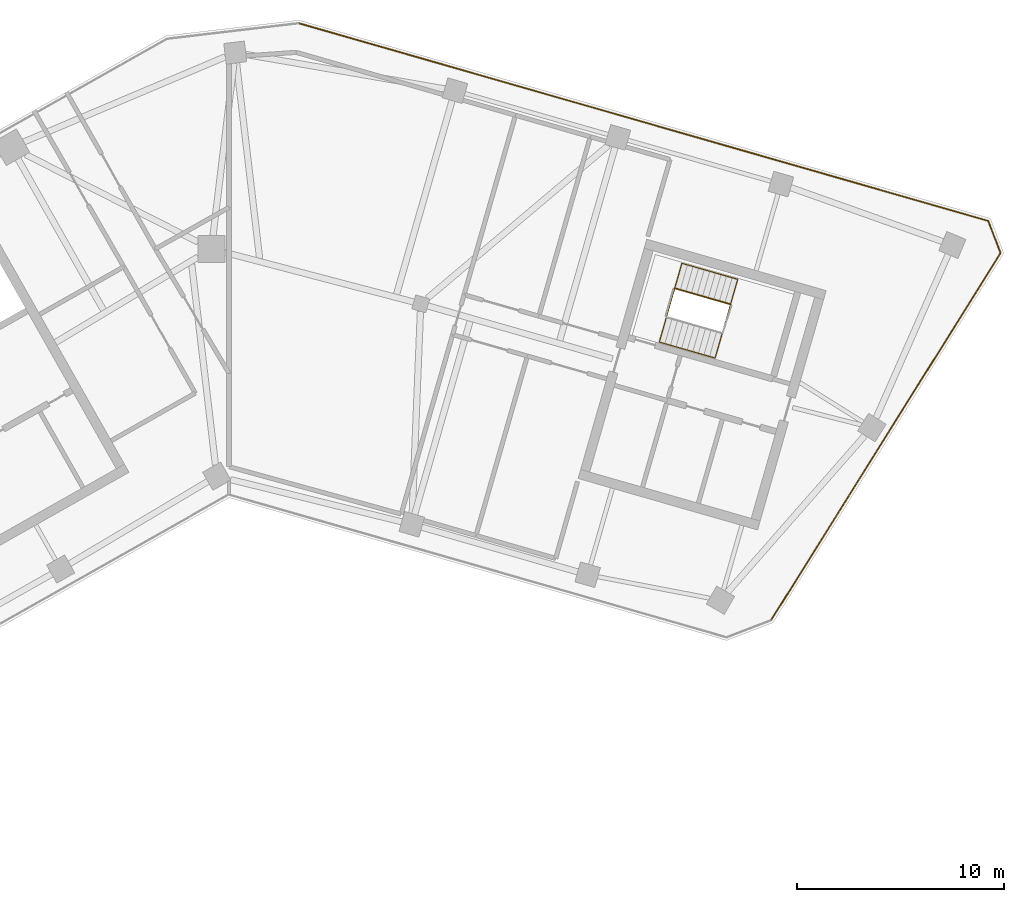
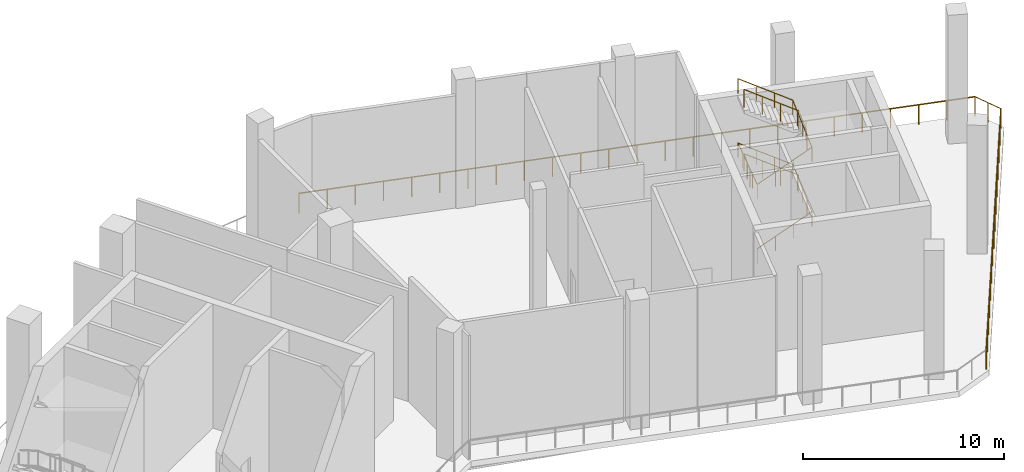
# One storey, part 8 of 8: 6 railings.
"""IFC4 building model written with IfcOpenShell, lengths in metres."""

from ifc_helpers import new_model, si_unit, direction, frame, origin, origin_2d, place, context, subcontext, project, spatial, circle, extrude, material, type_object, element, save


model = new_model("IFC4")

# Units and contexts
model_context = context("Model", 3, precision=1e-05, world=origin(), true_north=direction((0.0, 1.0)))
body_context = subcontext(model_context, "Body", "Model", "MODEL_VIEW")
ifc_project = project(units=[si_unit("LENGTHUNIT", "METRE"), si_unit("AREAUNIT", "SQUARE_METRE"), si_unit("VOLUMEUNIT", "CUBIC_METRE"), si_unit("PLANEANGLEUNIT", "RADIAN"), si_unit("MASSUNIT", "GRAM", prefix="KILO")], contexts=[model_context])

# Site, building, storey
site_placement = place(None, origin())
site = spatial("IfcSite", under=ifc_project, at=site_placement, CompositionType="ELEMENT")
building_placement = place(site_placement, origin())
building = spatial("IfcBuilding", under=site, at=building_placement, Name="Binnacle Exchange Tower", CompositionType="ELEMENT")
storey_placement = place(building_placement, frame((0.0, 0.0, 230.89990234375)))
storey = spatial("IfcBuildingStorey", under=building, at=storey_placement, Name="L51", CompositionType="ELEMENT", Elevation=230.89990234375)

# Railings
ifc_material_1 = material(Name="Bronze anodised aluminium frame", Category="aluminium")
railing_type_1 = type_object("IfcRailingType", Name="GUARD 1200", PredefinedType="GUARDRAIL", material=ifc_material_1)
railing_1_placement = place(storey_placement, frame((3.35205078125, 70.8828125, 0.0)))
element("IfcRailing", 1, at=railing_1_placement, inside=storey, type_object=railing_type_1, Name="Slab edge guard 5 L51", PredefinedType="GUARDRAIL", context=body_context, shape_type="SweptSolid", body=[
    extrude(circle(Radius=0.02392578125, at=origin_2d()), frame((0.0, 0.0, 1.17578125), z_axis=(0.961261670938, -0.275637443005, 0.0), x_axis=(0.275637443005, 0.961261670938, 0.0)), (0.0, 0.0, 1.0), 34.5869140625),
    extrude(circle(Radius=0.02099609375, at=origin_2d()), origin(), (0.0, 0.0, 1.0), 1.15185546875),
    extrude(circle(Radius=0.02099609375, at=origin_2d()), frame((1.38525390625, -0.397216796875, 0.0)), (0.0, 0.0, 1.0), 1.15185546875),
    extrude(circle(Radius=0.02099609375, at=origin_2d()), frame((2.7705078125, -0.79443359375, 0.0)), (0.0, 0.0, 1.0), 1.15185546875),
    extrude(circle(Radius=0.02099609375, at=origin_2d()), frame((4.15576171875, -1.191650390625, 0.0)), (0.0, 0.0, 1.0), 1.15185546875),
    extrude(circle(Radius=0.02099609375, at=origin_2d()), frame((5.541259765625, -1.5888671875, 0.0)), (0.0, 0.0, 1.0), 1.15185546875),
    extrude(circle(Radius=0.02099609375, at=origin_2d()), frame((6.926513671875, -1.986083984375, 0.0)), (0.0, 0.0, 1.0), 1.15185546875),
    extrude(circle(Radius=0.02099609375, at=origin_2d()), frame((8.311767578125, -2.38330078125, 0.0)), (0.0, 0.0, 1.0), 1.15185546875),
    extrude(circle(Radius=0.02099609375, at=origin_2d()), frame((9.697021484375, -2.780517578125, 0.0)), (0.0, 0.0, 1.0), 1.15185546875),
    extrude(circle(Radius=0.02099609375, at=origin_2d()), frame((11.082275390625, -3.177734375, 0.0)), (0.0, 0.0, 1.0), 1.15185546875),
    extrude(circle(Radius=0.02099609375, at=origin_2d()), frame((12.4677734375, -3.574951171875, 0.0)), (0.0, 0.0, 1.0), 1.15185546875),
    extrude(circle(Radius=0.02099609375, at=origin_2d()), frame((13.85302734375, -3.97216796875, 0.0)), (0.0, 0.0, 1.0), 1.15185546875),
    extrude(circle(Radius=0.02099609375, at=origin_2d()), frame((15.23828125, -4.369384765625, 0.0)), (0.0, 0.0, 1.0), 1.15185546875),
    extrude(circle(Radius=0.02099609375, at=origin_2d()), frame((16.62353515625, -4.7666015625, 0.0)), (0.0, 0.0, 1.0), 1.15185546875),
    extrude(circle(Radius=0.02099609375, at=origin_2d()), frame((18.0087890625, -5.1640625, 0.0)), (0.0, 0.0, 1.0), 1.15185546875),
    extrude(circle(Radius=0.02099609375, at=origin_2d()), frame((19.39404296875, -5.561279296875, 0.0)), (0.0, 0.0, 1.0), 1.15185546875),
    extrude(circle(Radius=0.02099609375, at=origin_2d()), frame((20.779296875, -5.95849609375, 0.0)), (0.0, 0.0, 1.0), 1.15185546875),
    extrude(circle(Radius=0.02099609375, at=origin_2d()), frame((22.164794921875, -6.355712890625, 0.0)), (0.0, 0.0, 1.0), 1.15185546875),
    extrude(circle(Radius=0.02099609375, at=origin_2d()), frame((23.550048828125, -6.7529296875, 0.0)), (0.0, 0.0, 1.0), 1.15185546875),
    extrude(circle(Radius=0.02099609375, at=origin_2d()), frame((24.935302734375, -7.150146484375, 0.0)), (0.0, 0.0, 1.0), 1.15185546875),
    extrude(circle(Radius=0.02099609375, at=origin_2d()), frame((26.320556640625, -7.54736328125, 0.0)), (0.0, 0.0, 1.0), 1.15185546875),
    extrude(circle(Radius=0.02099609375, at=origin_2d()), frame((27.705810546875, -7.944580078125, 0.0)), (0.0, 0.0, 1.0), 1.15185546875),
    extrude(circle(Radius=0.02099609375, at=origin_2d()), frame((29.09130859375, -8.341796875, 0.0)), (0.0, 0.0, 1.0), 1.15185546875),
    extrude(circle(Radius=0.02099609375, at=origin_2d()), frame((30.4765625, -8.739013671875, 0.0)), (0.0, 0.0, 1.0), 1.15185546875),
    extrude(circle(Radius=0.02099609375, at=origin_2d()), frame((31.86181640625, -9.13623046875, 0.0)), (0.0, 0.0, 1.0), 1.15185546875),
    extrude(circle(Radius=0.02099609375, at=origin_2d()), frame((33.2470703125, -9.533447265625, 0.0)), (0.0, 0.0, 1.0), 1.15185546875),
])
railing_2_placement = place(storey_placement, frame((36.59912109375, 61.349365234375, 0.0)))
element("IfcRailing", 2, at=railing_2_placement, inside=storey, type_object=railing_type_1, Name="Slab edge guard 6 L51", PredefinedType="GUARDRAIL", context=body_context, shape_type="SweptSolid", body=[
    extrude(circle(Radius=0.02392578125, at=origin_2d()), frame((0.0, 0.0, 1.17578125), z_axis=(0.358287364991, -0.933611356019, 0.0), x_axis=(0.933611356019, 0.358287364991, 0.0)), (0.0, 0.0, 1.0), 1.65576171875),
    extrude(circle(Radius=0.02099609375, at=origin_2d()), origin(), (0.0, 0.0, 1.0), 1.15185546875),
    extrude(circle(Radius=0.02099609375, at=origin_2d()), frame((0.296630859375, -0.77294921875, 0.0)), (0.0, 0.0, 1.0), 1.15185546875),
    extrude(circle(Radius=0.02099609375, at=origin_2d()), frame((0.59326171875, -1.5458984375, 0.0)), (0.0, 0.0, 1.0), 1.15185546875),
])
railing_3_placement = place(storey_placement, frame((37.1923828125, 59.803466796875, 0.0)))
element("IfcRailing", 3, at=railing_3_placement, inside=storey, type_object=railing_type_1, Name="Slab edge guard 7 L51", PredefinedType="GUARDRAIL", context=body_context, shape_type="SweptSolid", body=[
    extrude(circle(Radius=0.02392578125, at=origin_2d()), frame((0.0, 0.0, 1.17578125), z_axis=(-0.529914836237, -0.848050863059, 0.0), x_axis=(0.848050863059, -0.529914836237, 0.0)), (0.0, 0.0, 1.0), 20.875),
    extrude(circle(Radius=0.02099609375, at=origin_2d()), origin(), (0.0, 0.0, 1.0), 1.15185546875),
    extrude(circle(Radius=0.02099609375, at=origin_2d()), frame((-0.7900390625, -1.264404296875, 0.0)), (0.0, 0.0, 1.0), 1.15185546875),
    extrude(circle(Radius=0.02099609375, at=origin_2d()), frame((-1.580322265625, -2.529052734375, 0.0)), (0.0, 0.0, 1.0), 1.15185546875),
    extrude(circle(Radius=0.02099609375, at=origin_2d()), frame((-2.370361328125, -3.79345703125, 0.0)), (0.0, 0.0, 1.0), 1.15185546875),
    extrude(circle(Radius=0.02099609375, at=origin_2d()), frame((-3.16064453125, -5.05810546875, 0.0)), (0.0, 0.0, 1.0), 1.15185546875),
    extrude(circle(Radius=0.02099609375, at=origin_2d()), frame((-3.95068359375, -6.322509765625, 0.0)), (0.0, 0.0, 1.0), 1.15185546875),
    extrude(circle(Radius=0.02099609375, at=origin_2d()), frame((-4.740966796875, -7.587158203125, 0.0)), (0.0, 0.0, 1.0), 1.15185546875),
    extrude(circle(Radius=0.02099609375, at=origin_2d()), frame((-5.531005859375, -8.8515625, 0.0)), (0.0, 0.0, 1.0), 1.15185546875),
    extrude(circle(Radius=0.02099609375, at=origin_2d()), frame((-6.321044921875, -10.115966796875, 0.0)), (0.0, 0.0, 1.0), 1.15185546875),
    extrude(circle(Radius=0.02099609375, at=origin_2d()), frame((-7.111328125, -11.380615234375, 0.0)), (0.0, 0.0, 1.0), 1.15185546875),
    extrude(circle(Radius=0.02099609375, at=origin_2d()), frame((-7.9013671875, -12.64501953125, 0.0)), (0.0, 0.0, 1.0), 1.15185546875),
    extrude(circle(Radius=0.02099609375, at=origin_2d()), frame((-8.691650390625, -13.90966796875, 0.0)), (0.0, 0.0, 1.0), 1.15185546875),
    extrude(circle(Radius=0.02099609375, at=origin_2d()), frame((-9.481689453125, -15.174072265625, 0.0)), (0.0, 0.0, 1.0), 1.15185546875),
    extrude(circle(Radius=0.02099609375, at=origin_2d()), frame((-10.27197265625, -16.438720703125, 0.0)), (0.0, 0.0, 1.0), 1.15185546875),
    extrude(circle(Radius=0.02099609375, at=origin_2d()), frame((-11.06201171875, -17.703125, 0.0)), (0.0, 0.0, 1.0), 1.15185546875),
])
ifc_material_2 = material(Name="Steel guard rail", Category="steel")
railing_type_2 = type_object("IfcRailingType", Name="STAIR GUARD 1100", PredefinedType="GUARDRAIL", material=ifc_material_2)
railing_4_placement = place(storey_placement, frame((24.177734375, 57.332275390625, 2.12744140625)))
element("IfcRailing", 4, at=railing_4_placement, inside=storey, type_object=railing_type_2, Name="L51 STD1 stair guard 2", PredefinedType="GUARDRAIL", context=body_context, shape_type="SweptSolid", body=[
    extrude(circle(Radius=0.02392578125, at=origin_2d()), frame((0.0, 0.0, 1.076171875), z_axis=(-0.81215085225, 0.232948203448, 0.534926282491), x_axis=(-0.275711388614, -0.96124046429, 0.0)), (0.0, 0.0, 1.0), 3.31396484375),
    extrude(circle(Radius=0.02392578125, at=origin_2d()), frame((-2.69140625, 0.77197265625, 2.8486328125), z_axis=(-0.309842533299, -0.950787886208, 0.0), x_axis=(0.950787886208, -0.309842533299, 0.0)), (0.0, 0.0, 1.0), 1.40087890625),
    extrude(circle(Radius=0.02099609375, at=origin_2d()), origin(), (0.0, 0.0, 1.0), 1.052001953125),
    extrude(circle(Radius=0.02099609375, at=origin_2d()), frame((-0.897216796875, 0.25732421875, 0.5908203125)), (0.0, 0.0, 1.0), 1.052001953125),
    extrude(circle(Radius=0.02099609375, at=origin_2d()), frame((-1.794189453125, 0.5146484375, 1.181884765625)), (0.0, 0.0, 1.0), 1.052001953125),
    extrude(circle(Radius=0.02099609375, at=origin_2d()), frame((-2.69140625, 0.77197265625, 1.772705078125)), (0.0, 0.0, 1.0), 1.052001953125),
    extrude(circle(Radius=0.02099609375, at=origin_2d()), frame((-2.908447265625, 0.10595703125, 1.772705078125)), (0.0, 0.0, 1.0), 1.052001953125),
    extrude(circle(Radius=0.02099609375, at=origin_2d()), frame((-3.12548828125, -0.56005859375, 1.772705078125)), (0.0, 0.0, 1.0), 1.052001953125),
])
railing_5_placement = place(storey_placement, frame((24.177734375, 57.332275390625, 6.02734375)))
element("IfcRailing", 5, at=railing_5_placement, inside=storey, type_object=railing_type_2, Name="L51 STD1 stair guard 4", PredefinedType="GUARDRAIL", context=body_context, shape_type="SweptSolid", body=[
    extrude(circle(Radius=0.02392578125, at=origin_2d()), frame((0.0, 0.0, 1.076171875), z_axis=(-0.81215085225, 0.232948203448, 0.534926282491), x_axis=(-0.275711388614, -0.96124046429, 0.0)), (0.0, 0.0, 1.0), 3.31396484375),
    extrude(circle(Radius=0.02099609375, at=origin_2d()), origin(), (0.0, 0.0, 1.0), 1.052001953125),
    extrude(circle(Radius=0.02099609375, at=origin_2d()), frame((-0.897216796875, 0.25732421875, 0.5908203125)), (0.0, 0.0, 1.0), 1.052001953125),
    extrude(circle(Radius=0.02099609375, at=origin_2d()), frame((-1.794189453125, 0.5146484375, 1.181884765625)), (0.0, 0.0, 1.0), 1.052001953125),
    extrude(circle(Radius=0.02099609375, at=origin_2d()), frame((-2.69140625, 0.77197265625, 1.772705078125)), (0.0, 0.0, 1.0), 1.052001953125),
])
ifc_material_3 = material(Name="Steel handrail", Category="steel")
railing_type_3 = type_object("IfcRailingType", Name="STAIR HANDRAIL 900", PredefinedType="HANDRAIL", material=ifc_material_3)
railing_6_placement = place(storey_placement, frame((20.7421875, 55.5087890625, 0.177490234375)))
element("IfcRailing", 6, at=railing_6_placement, inside=storey, type_object=railing_type_3, Name="L51 STD1 stair handrail 1", PredefinedType="HANDRAIL", context=body_context, shape_type="SweptSolid", body=[
    extrude(circle(Radius=0.02392578125, at=origin_2d()), frame((0.0, 0.0, 0.8759765625), z_axis=(0.812164788183, -0.232878528252, 0.534935461448), x_axis=(0.275630818758, 0.961263570386, 0.0)), (0.0, 0.0, 1.0), 3.31396484375),
    extrude(circle(Radius=0.02392578125, at=origin_2d()), frame((2.69140625, -0.771728515625, 2.6484375), z_axis=(0.275390828663, 0.960286584611, 0.044828193186), x_axis=(-0.961252921364, 0.275667954558, 0.0)), (0.0, 0.0, 1.0), 3.953857421875),
    extrude(circle(Radius=0.02392578125, at=origin_2d()), frame((3.7802734375, 3.025146484375, 2.82568359375), z_axis=(-0.812189863168, 0.232864594782, 0.534903455461), x_axis=(-0.27560771734, -0.96127019414, 0.0)), (0.0, 0.0, 1.0), 3.31396484375),
    extrude(circle(Radius=0.02392578125, at=origin_2d()), frame((1.088623046875, 3.796875, 4.5986328125), z_axis=(-0.275333763271, -0.960302912398, 0.044828955401), x_axis=(0.961269298493, -0.275610841177, 0.0)), (0.0, 0.0, 1.0), 3.953857421875),
    extrude(circle(Radius=0.02392578125, at=origin_2d()), frame((0.0, 0.0, 4.77587890625), z_axis=(0.812164788183, -0.232878528252, 0.534935461448), x_axis=(0.275630818758, 0.961263570386, 0.0)), (0.0, 0.0, 1.0), 3.31396484375),
    extrude(circle(Radius=0.02392578125, at=origin_2d()), frame((2.69140625, -0.771728515625, 6.54833984375), z_axis=(0.275390828663, 0.960286584611, 0.044828193186), x_axis=(-0.961252921364, 0.275667954558, 0.0)), (0.0, 0.0, 1.0), 3.953857421875),
    extrude(circle(Radius=0.02392578125, at=origin_2d()), frame((3.7802734375, 3.025146484375, 6.7255859375), z_axis=(-0.812189863168, 0.232864594782, 0.534903455461), x_axis=(-0.27560771734, -0.96127019414, 0.0)), (0.0, 0.0, 1.0), 3.31396484375),
    extrude(circle(Radius=0.02099609375, at=origin_2d()), origin(), (0.0, 0.0, 1.0), 0.851806640625),
    extrude(circle(Radius=0.02099609375, at=origin_2d()), frame((0.897216796875, -0.25732421875, 0.5908203125)), (0.0, 0.0, 1.0), 0.851806640625),
    extrude(circle(Radius=0.02099609375, at=origin_2d()), frame((1.794189453125, -0.514404296875, 1.181884765625)), (0.0, 0.0, 1.0), 0.851806640625),
    extrude(circle(Radius=0.02099609375, at=origin_2d()), frame((2.69140625, -0.771728515625, 1.772705078125)), (0.0, 0.0, 1.0), 0.851806640625),
    extrude(circle(Radius=0.02099609375, at=origin_2d()), frame((2.963623046875, 0.177490234375, 1.81689453125)), (0.0, 0.0, 1.0), 0.851806640625),
    extrude(circle(Radius=0.02099609375, at=origin_2d()), frame((3.23583984375, 1.126708984375, 1.861328125)), (0.0, 0.0, 1.0), 0.851806640625),
    extrude(circle(Radius=0.02099609375, at=origin_2d()), frame((3.508056640625, 2.075927734375, 1.90576171875)), (0.0, 0.0, 1.0), 0.851806640625),
    extrude(circle(Radius=0.02099609375, at=origin_2d()), frame((3.7802734375, 3.025146484375, 1.949951171875)), (0.0, 0.0, 1.0), 0.851806640625),
    extrude(circle(Radius=0.02099609375, at=origin_2d()), frame((2.883056640625, 3.282470703125, 2.540771484375)), (0.0, 0.0, 1.0), 0.851806640625),
    extrude(circle(Radius=0.02099609375, at=origin_2d()), frame((1.98583984375, 3.53955078125, 3.1318359375)), (0.0, 0.0, 1.0), 0.851806640625),
    extrude(circle(Radius=0.02099609375, at=origin_2d()), frame((1.088623046875, 3.796875, 3.72265625)), (0.0, 0.0, 1.0), 0.851806640625),
    extrude(circle(Radius=0.02099609375, at=origin_2d()), frame((0.81640625, 2.84765625, 3.76708984375)), (0.0, 0.0, 1.0), 0.851806640625),
    extrude(circle(Radius=0.02099609375, at=origin_2d()), frame((0.54443359375, 1.8984375, 3.811279296875)), (0.0, 0.0, 1.0), 0.851806640625),
    extrude(circle(Radius=0.02099609375, at=origin_2d()), frame((0.272216796875, 0.94921875, 3.85546875)), (0.0, 0.0, 1.0), 0.851806640625),
    extrude(circle(Radius=0.02099609375, at=origin_2d()), frame((0.0, 0.0, 3.89990234375)), (0.0, 0.0, 1.0), 0.851806640625),
    extrude(circle(Radius=0.02099609375, at=origin_2d()), frame((0.897216796875, -0.25732421875, 4.49072265625)), (0.0, 0.0, 1.0), 0.851806640625),
    extrude(circle(Radius=0.02099609375, at=origin_2d()), frame((1.794189453125, -0.514404296875, 5.081787109375)), (0.0, 0.0, 1.0), 0.851806640625),
    extrude(circle(Radius=0.02099609375, at=origin_2d()), frame((2.69140625, -0.771728515625, 5.672607421875)), (0.0, 0.0, 1.0), 0.851806640625),
    extrude(circle(Radius=0.02099609375, at=origin_2d()), frame((2.963623046875, 0.177490234375, 5.716796875)), (0.0, 0.0, 1.0), 0.851806640625),
    extrude(circle(Radius=0.02099609375, at=origin_2d()), frame((3.23583984375, 1.126708984375, 5.76123046875)), (0.0, 0.0, 1.0), 0.851806640625),
    extrude(circle(Radius=0.02099609375, at=origin_2d()), frame((3.508056640625, 2.075927734375, 5.8056640625)), (0.0, 0.0, 1.0), 0.851806640625),
    extrude(circle(Radius=0.02099609375, at=origin_2d()), frame((3.7802734375, 3.025146484375, 5.849853515625)), (0.0, 0.0, 1.0), 0.851806640625),
    extrude(circle(Radius=0.02099609375, at=origin_2d()), frame((2.883056640625, 3.282470703125, 6.440673828125)), (0.0, 0.0, 1.0), 0.851806640625),
    extrude(circle(Radius=0.02099609375, at=origin_2d()), frame((1.98583984375, 3.53955078125, 7.03173828125)), (0.0, 0.0, 1.0), 0.851806640625),
    extrude(circle(Radius=0.02099609375, at=origin_2d()), frame((1.088623046875, 3.796875, 7.62255859375)), (0.0, 0.0, 1.0), 0.851806640625),
])

save(model, "model.ifc")
